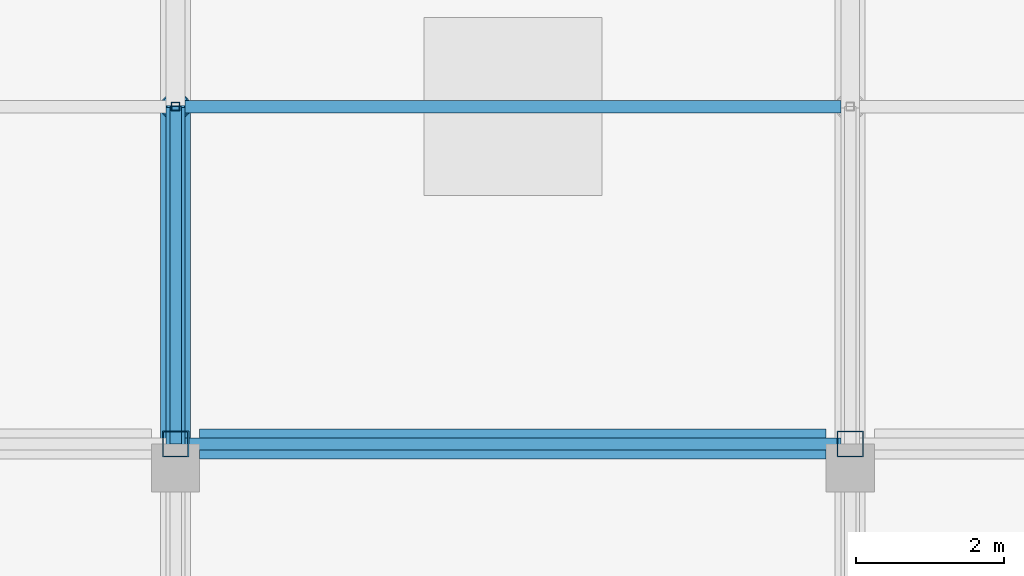
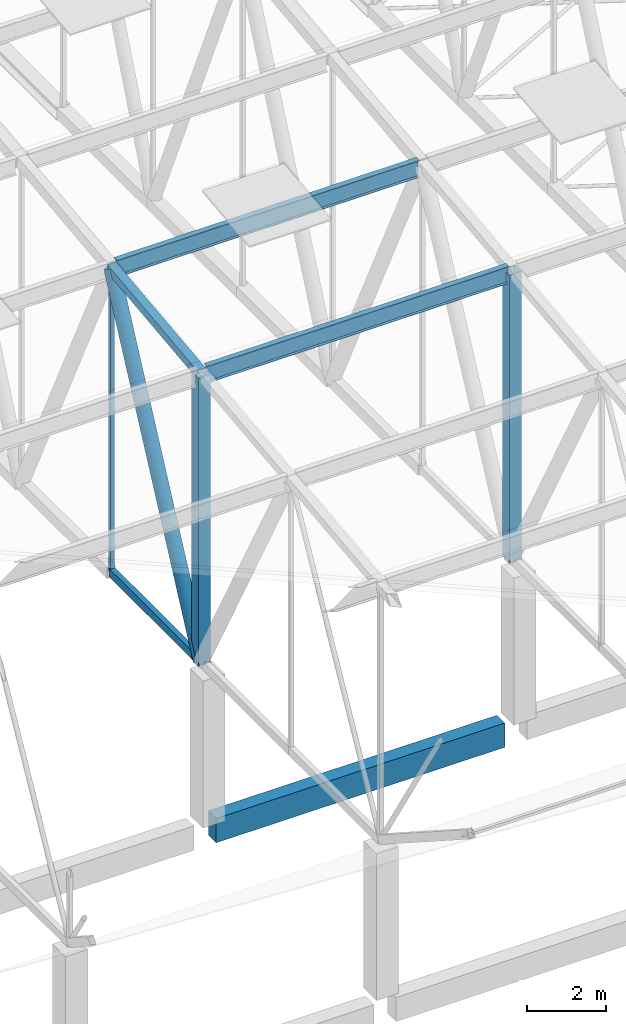
# One storey, part 106 of 500: 8 members, 1 beam.
"""IFC4 building model written with IfcOpenShell, lengths in metres."""

import ifcopenshell
import ifcopenshell.guid

model = None  # the IFC model being written
_history = None  # IfcOwnerHistory: only IFC2X3 demands one
_inside = {}  # id of a spatial element -> (the spatial element, [elements in it])
_under = {}  # id of a project, library or spatial element -> (it, [spatial elements below it])
_declared = {}  # id of a project -> (the project, [libraries it declares])
_typed = {}  # id of a type object -> (the type object, [elements of that type])
_made_of = {}  # id of a material, layer set ... -> (it, [elements and type objects made of it])


def new_model(schema):
    """Start an empty IFC model of exactly this schema.

    Asked for "IFC4X3", IfcOpenShell would pick the latest addendum, in which some entities
    have other attributes; the version numbers below select the first issue.
    IFC2X3 requires an IfcOwnerHistory on every rooted entity: one is made here for all.
    """
    global model, _history
    if schema == "IFC4X3":
        model = ifcopenshell.file(schema_version=(4, 3, 0, 0))
    else:
        model = ifcopenshell.file(schema=schema)
    _inside.clear()
    _under.clear()
    _declared.clear()
    _typed.clear()
    _made_of.clear()
    _history = None
    if model.schema == "IFC2X3":
        org = make("IfcOrganization", Name="unknown")
        user = make(
            "IfcPersonAndOrganization",
            ThePerson=make("IfcPerson", FamilyName="unknown"),
            TheOrganization=org,
        )
        app = make(
            "IfcApplication",
            ApplicationDeveloper=org,
            Version="unknown",
            ApplicationFullName="unknown",
            ApplicationIdentifier="unknown",
        )
        _history = make(
            "IfcOwnerHistory",
            OwningUser=user,
            OwningApplication=app,
            ChangeAction="ADDED",
            CreationDate=0,
        )
    return model


def make(cls, **values):
    """One entity of the class cls with the attributes given. An attribute that is None is left unset."""
    return model.create_entity(
        cls, **{name: value for name, value in values.items() if value is not None}
    )


def rooted(cls, **values):
    """An entity with a GlobalId (a new one), such as an element, a storey or a relation."""
    return make(cls, GlobalId=ifcopenshell.guid.new(), OwnerHistory=_history, **values)


def si_unit(unit_type, name, prefix=None):
    """IfcSIUnit, for example si_unit("LENGTHUNIT", "METRE", prefix="MILLI")."""
    return make("IfcSIUnit", UnitType=unit_type, Prefix=prefix, Name=name)


def assignment(units):
    """IfcUnitAssignment: the units of a project."""
    return None if units is None else make("IfcUnitAssignment", Units=units)


def point(xyz):
    """IfcCartesianPoint."""
    return None if xyz is None else make("IfcCartesianPoint", Coordinates=xyz)


def direction(xyz):
    """IfcDirection."""
    return None if xyz is None else make("IfcDirection", DirectionRatios=xyz)


def frame(location, z_axis=None, x_axis=None):
    """IfcAxis2Placement3D, a coordinate frame: its origin and axes. An axis left out is left unset."""
    return make(
        "IfcAxis2Placement3D",
        Location=point(location),
        Axis=direction(z_axis),
        RefDirection=direction(x_axis),
    )


def frame_2d(location, x_axis=None):
    """IfcAxis2Placement2D, a coordinate frame in the plane: its origin and x axis."""
    return make(
        "IfcAxis2Placement2D", Location=point(location), RefDirection=direction(x_axis)
    )


def origin():
    """The frame at (0, 0, 0) with its axes left unset."""
    return frame((0.0, 0.0, 0.0))


def origin_2d():
    """The frame at (0, 0) in the plane with its x axis left unset."""
    return frame_2d((0.0, 0.0))


def place(relative_to, where):
    """IfcLocalPlacement: puts the frame where relative to a parent placement (None: the world)."""
    return make(
        "IfcLocalPlacement", PlacementRelTo=relative_to, RelativePlacement=where
    )


def context(
    kind, dimensions, precision=None, world=None, true_north=None, identifier=None
):
    """IfcGeometricRepresentationContext, for example the 3D "Model" context."""
    return make(
        "IfcGeometricRepresentationContext",
        ContextIdentifier=identifier,
        ContextType=kind,
        CoordinateSpaceDimension=dimensions,
        Precision=precision,
        WorldCoordinateSystem=world,
        TrueNorth=true_north,
    )


def subcontext(parent, identifier, kind, view, scale=None):
    """IfcGeometricRepresentationSubContext, for example "Body" below "Model"."""
    return make(
        "IfcGeometricRepresentationSubContext",
        ContextIdentifier=identifier,
        ContextType=kind,
        ParentContext=parent,
        TargetScale=scale,
        TargetView=view,
    )


def project(units=None, contexts=None):
    """IfcProject with its units and contexts."""
    return rooted(
        "IfcProject",
        Name="project",
        RepresentationContexts=contexts,
        UnitsInContext=assignment(units),
    )


def spatial(cls, under=None, at=None, **own):
    """A site, building, storey or space (cls), placed at a placement, below another one or the project."""
    s = rooted(cls, ObjectPlacement=at, **own)
    if under is not None:
        _under.setdefault(under.id(), (under, []))[1].append(s)
    return s


def profile(cls, at=None, kind="AREA", **sizes):
    """A parametric profile (cls). Its sizes go by their IFC names, for example OverallWidth=200.0."""
    return make(cls, ProfileType=kind, Position=at, **sizes)


def rectangle(**sizes):
    """IfcRectangleProfileDef."""
    return profile("IfcRectangleProfileDef", **sizes)


def hollow_rectangle(**sizes):
    """IfcRectangleHollowProfileDef."""
    return profile("IfcRectangleHollowProfileDef", **sizes)


def hollow_circle(**sizes):
    """IfcCircleHollowProfileDef."""
    return profile("IfcCircleHollowProfileDef", **sizes)


def i_section(**sizes):
    """IfcIShapeProfileDef."""
    return profile("IfcIShapeProfileDef", **sizes)


def extrude(swept, where, along, depth):
    """IfcExtrudedAreaSolid: the profile swept, set in the frame where, extruded along a direction by depth."""
    return make(
        "IfcExtrudedAreaSolid",
        SweptArea=swept,
        Position=where,
        ExtrudedDirection=direction(along),
        Depth=depth,
    )


def shape(context_of_items, identifier, shape_type, items):
    """IfcShapeRepresentation: the items that make up one representation, for example the "Body"."""
    return make(
        "IfcShapeRepresentation",
        ContextOfItems=context_of_items,
        RepresentationIdentifier=identifier,
        RepresentationType=shape_type,
        Items=items,
    )


def material(Name=None, Category=None):
    """IfcMaterial."""
    return make("IfcMaterial", Name=Name, Category=Category)


def material_profile(
    of_material, cross_section, Name=None, Category=None, Priority=None
):
    """IfcMaterialProfile: a cross section and its material."""
    return make(
        "IfcMaterialProfile",
        Name=Name,
        Material=of_material,
        Profile=cross_section,
        Priority=Priority,
        Category=Category,
    )


def profile_set(profiles, Name=None, composite=None):
    """IfcMaterialProfileSet."""
    return make(
        "IfcMaterialProfileSet",
        Name=Name,
        MaterialProfiles=profiles,
        CompositeProfile=composite,
    )


def made_of(thing, what):
    """Note that an element or type object is made of a material, layer set ...; save() writes the relation."""
    if what is not None:
        _made_of.setdefault(what.id(), (what, []))[1].append(thing)
    return thing


def type_object(cls, material=None, **own):
    """A type object (cls), such as IfcWallType, which elements share."""
    return made_of(rooted(cls, **own), material)


def element(
    cls,
    number,
    at=None,
    inside=None,
    cuts=None,
    type_object=None,
    material=None,
    context=None,
    identifier="Body",
    shape_type=None,
    held_by="IfcProductDefinitionShape",
    body=None,
    shapes=None,
    **own,
):
    """One element of the class cls, such as IfcWall. Its Tag is "e" and its number.

    at: its placement. inside: the storey or other place that contains it. cuts: it is an
    opening in that element (IfcRelVoidsElement). A single representation is given by context,
    identifier, shape_type and body (its items); several are given by shapes. held_by: the class
    of the entity that holds the representations. save() writes the other relations.
    """
    e = rooted(cls, Tag="e%d" % number, ObjectPlacement=at, **own)
    if body is not None:
        shapes = [shape(context, identifier, shape_type, body)]
    if shapes is not None:
        e.Representation = make(held_by, Representations=shapes)
    if inside is not None:
        _inside.setdefault(inside.id(), (inside, []))[1].append(e)
    if cuts is not None:
        rooted(
            "IfcRelVoidsElement", RelatingBuildingElement=cuts, RelatedOpeningElement=e
        )
    if type_object is not None:
        _typed.setdefault(type_object.id(), (type_object, []))[1].append(e)
    return made_of(e, material)


def aggregate(whole, parts):
    """IfcRelAggregates: a whole, such as a stair, and the parts it consists of."""
    return rooted("IfcRelAggregates", RelatingObject=whole, RelatedObjects=parts)


def save(model, path):
    """Write the relations noted so far, then the file.

    IfcRelAggregates (storeys below a building ...), IfcRelContainedInSpatialStructure (elements
    in a storey), IfcRelDefinesByType, IfcRelAssociatesMaterial and IfcRelDeclares: one each for
    every whole, place, type object, material and project.
    """
    for whole, parts in _under.values():
        aggregate(whole, parts)
    for where, things in _inside.values():
        rooted(
            "IfcRelContainedInSpatialStructure",
            RelatedElements=things,
            RelatingStructure=where,
        )
    for kind, things in _typed.values():
        rooted("IfcRelDefinesByType", RelatedObjects=things, RelatingType=kind)
    for what, things in _made_of.values():
        rooted("IfcRelAssociatesMaterial", RelatedObjects=things, RelatingMaterial=what)
    for by, libraries in _declared.values():
        rooted("IfcRelDeclares", RelatingContext=by, RelatedDefinitions=libraries)
    model.write(path)


model = new_model("IFC4")

# Units and contexts
model_context = context("Model", 3, precision=1e-05, world=origin(), true_north=direction((0.0, 1.0)))
body_context = subcontext(model_context, "Body", "Model", "MODEL_VIEW")
ifc_project = project(units=[si_unit("LENGTHUNIT", "METRE"), si_unit("AREAUNIT", "SQUARE_METRE"), si_unit("VOLUMEUNIT", "CUBIC_METRE"), si_unit("PLANEANGLEUNIT", "RADIAN"), si_unit("MASSUNIT", "GRAM", prefix="KILO")], contexts=[model_context])

# Site, building, storey
site_placement = place(None, origin())
site = spatial("IfcSite", under=ifc_project, at=site_placement, CompositionType="ELEMENT")
building_placement = place(site_placement, origin())
building = spatial("IfcBuilding", under=site, at=building_placement, Name="Shirokan Park Arena", CompositionType="ELEMENT")
storey_placement = place(building_placement, frame((0.0, 0.0, 29.1201171875)))
storey = spatial("IfcBuildingStorey", under=building, at=storey_placement, Name="L06", CompositionType="ELEMENT", Elevation=29.1201171875)

# Members
ifc_material_1 = material(Name="Steel ASTM A500 Grade C", Category="steel")
ifc_material_profile_1 = material_profile(ifc_material_1, hollow_rectangle(XDim=0.152099609375, YDim=0.25390625, WallThickness=0.015869140625, at=origin_2d()), Name="HSS254X152.4X15.9")
ifc_profile_set_1 = profile_set([ifc_material_profile_1], Name="Steel ASTM A500 Grade C")
member_type_1 = type_object("IfcMemberType", Name="Bottom chord HSS254X152.4X15.9", PredefinedType="CHORD", material=ifc_profile_set_1)
member_1_placement = place(storey_placement, frame((72.800048828125, 9.10009765625, 4.677001953125), z_axis=(0.0, 1.0, 0.0), x_axis=(-1.0, 0.0, 0.0)))
element("IfcMember", 1, at=member_1_placement, inside=storey, type_object=member_type_1, Name="Truss T09 bottom chord 5", PredefinedType="CHORD", context=body_context, shape_type="SweptSolid", body=[
    extrude(hollow_rectangle(XDim=0.152099609375, YDim=0.25390625, WallThickness=0.015869140625, at=origin_2d()), origin(), (0.0, 0.0, 1.0), 4.5498046875),
])
ifc_material_2 = material(Name="Steel ASTM A992", Category="steel")
ifc_material_profile_2 = material_profile(ifc_material_2, i_section(OverallWidth=0.166015625, OverallDepth=0.528076171875, WebThickness=0.009765625, FlangeThickness=0.013671875, at=origin_2d()), Name="W530X74")
ifc_profile_set_2 = profile_set([ifc_material_profile_2], Name="Steel ASTM A992")
member_type_2 = type_object("IfcMemberType", Name="Purlin W530X74", PredefinedType="PURLIN", material=ifc_profile_set_2)
for number, where, z_axis, x_axis, name in (
    (2, (72.927001953125, 9.10009765625, 13.52587890625), (1.0, 0.0, 0.0), (0.0, 1.0, 0.0), "Purlin 5 bay 9"),
    (3, (72.927001953125, 13.64990234375, 14.0458984375), (1.0, 0.0, 0.0), (0.0, 1.0, 0.0), "Purlin 6 bay 9"),
):
    element("IfcMember", number, at=place(storey_placement, frame(where, z_axis=z_axis, x_axis=x_axis)), inside=storey, type_object=member_type_2, Name=name, PredefinedType="PURLIN", context=body_context, shape_type="SweptSolid", body=[
        extrude(i_section(OverallWidth=0.166015625, OverallDepth=0.528076171875, WebThickness=0.009765625, FlangeThickness=0.013671875, at=origin_2d()), origin(), (0.0, 0.0, 1.0), 8.845947265625),
    ])

# Beam
ifc_material_3 = material(Name="Concrete C35", Category="concrete")
ifc_material_profile_3 = material_profile(ifc_material_3, rectangle(XDim=0.39990234375, YDim=0.75, at=origin_2d()), Name="400x750")
ifc_profile_set_3 = profile_set([ifc_material_profile_3], Name="Concrete C35")
beam_type = type_object("IfcBeamType", Name="RC girder 400x750", PredefinedType="BEAM", material=ifc_profile_set_3)
beam_placement = place(storey_placement, frame((73.125, 9.10009765625, -0.5751953125), z_axis=(1.0, 0.0, 0.0), x_axis=(0.0, 1.0, 0.0)))
element("IfcBeam", 4, at=beam_placement, inside=storey, type_object=beam_type, Name="Girder 9B-10B L06", PredefinedType="BEAM", context=body_context, shape_type="SweptSolid", body=[
    extrude(rectangle(XDim=0.39990234375, YDim=0.75, at=origin_2d()), origin(), (0.0, 0.0, 1.0), 8.449951171875),
])

# Members
ifc_material_profile_4 = material_profile(ifc_material_1, hollow_rectangle(XDim=0.25390625, YDim=0.25390625, WallThickness=0.009521484375, at=origin_2d()), Name="HSS254X254X9.5")
ifc_profile_set_4 = profile_set([ifc_material_profile_4], Name="Steel ASTM A500 Grade C")
member_type_3 = type_object("IfcMemberType", Name="Top chord HSS254X254X9.5", PredefinedType="CHORD", material=ifc_profile_set_4)
member_2_placement = place(storey_placement, frame((72.800048828125, 9.10009765625, 13.581298828125), z_axis=(0.0, 0.993531641592, 0.11355561261), x_axis=(-1.0, 0.0, 0.0)))
element("IfcMember", 5, at=member_2_placement, inside=storey, type_object=member_type_3, Name="Truss T09 top chord 5", PredefinedType="CHORD", context=body_context, shape_type="SweptSolid", body=[
    extrude(hollow_rectangle(XDim=0.25390625, YDim=0.25390625, WallThickness=0.009521484375, at=origin_2d()), origin(), (0.0, 0.0, 1.0), 4.579345703125),
])
ifc_material_profile_5 = material_profile(ifc_material_1, hollow_circle(Radius=0.202880859375, WallThickness=0.015869140625, at=origin_2d()), Name="HSS406.4X15.9")
ifc_profile_set_5 = profile_set([ifc_material_profile_5], Name="Steel ASTM A500 Grade C")
member_type_4 = type_object("IfcMemberType", Name="Truss diagonal HSS406.4X15.9", PredefinedType="BRACE", material=ifc_profile_set_5)
member_3_placement = place(storey_placement, frame((72.800048828125, 9.10009765625, 4.677001953125), z_axis=(0.0, 0.434759504242, 0.900546597057), x_axis=(-1.0, 0.0, 0.0)))
element("IfcMember", 6, at=member_3_placement, inside=storey, type_object=member_type_4, Name="Truss T09 diagonal 5", PredefinedType="BRACE", context=body_context, shape_type="SweptSolid", body=[
    extrude(hollow_circle(Radius=0.202880859375, WallThickness=0.015869140625, at=origin_2d()), origin(), (0.0, 0.0, 1.0), 10.465087890625),
])
ifc_material_profile_6 = material_profile(ifc_material_1, hollow_rectangle(XDim=0.114013671875, YDim=0.114013671875, WallThickness=0.00634765625, at=origin_2d()), Name="HSS114.3X114.3X6.4")
ifc_profile_set_6 = profile_set([ifc_material_profile_6], Name="Steel ASTM A500 Grade C")
member_type_5 = type_object("IfcMemberType", Name="Truss post HSS114.3X114.3X6.4", PredefinedType="POST", material=ifc_profile_set_6)
member_4_placement = place(storey_placement, frame((72.800048828125, 13.64990234375, 4.677001953125), z_axis=(0.0, 0.0, 1.0), x_axis=(1.0, 0.0, 0.0)))
element("IfcMember", 7, at=member_4_placement, inside=storey, type_object=member_type_5, Name="Truss T09 post 6", PredefinedType="POST", context=body_context, shape_type="SweptSolid", body=[
    extrude(hollow_rectangle(XDim=0.114013671875, YDim=0.114013671875, WallThickness=0.00634765625, at=origin_2d()), origin(), (0.0, 0.0, 1.0), 9.42431640625),
])
ifc_material_profile_7 = material_profile(ifc_material_1, hollow_rectangle(XDim=0.35595703125, YDim=0.35595703125, WallThickness=0.015869140625, at=origin_2d()), Name="HSS355.6X355.6X15.9")
ifc_profile_set_7 = profile_set([ifc_material_profile_7], Name="Steel ASTM A500 Grade C")
member_type_6 = type_object("IfcMemberType", Name="Truss post HSS355.6X355.6X15.9", PredefinedType="POST", material=ifc_profile_set_7)
for number, where, z_axis, x_axis, name in (
    (8, (72.800048828125, 9.10009765625, 4.677001953125), (0.0, 0.0, 1.0), (1.0, 0.0, 0.0), "Truss T09 post 5"),
    (9, (81.89990234375, 9.10009765625, 4.677001953125), (0.0, 0.0, 1.0), (1.0, 0.0, 0.0), "Truss T10 post 5"),
):
    element("IfcMember", number, at=place(storey_placement, frame(where, z_axis=z_axis, x_axis=x_axis)), inside=storey, type_object=member_type_6, Name=name, PredefinedType="POST", context=body_context, shape_type="SweptSolid", body=[
        extrude(hollow_rectangle(XDim=0.35595703125, YDim=0.35595703125, WallThickness=0.015869140625, at=origin_2d()), origin(), (0.0, 0.0, 1.0), 8.904296875),
    ])

save(model, "model.ifc")
